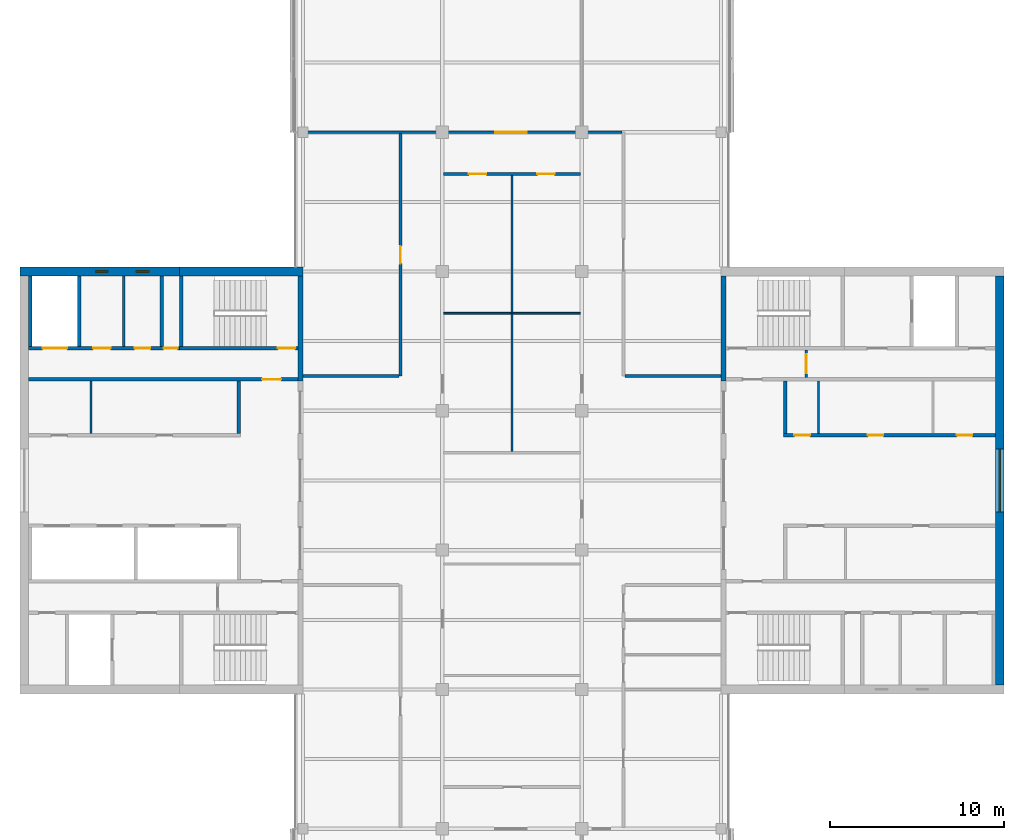
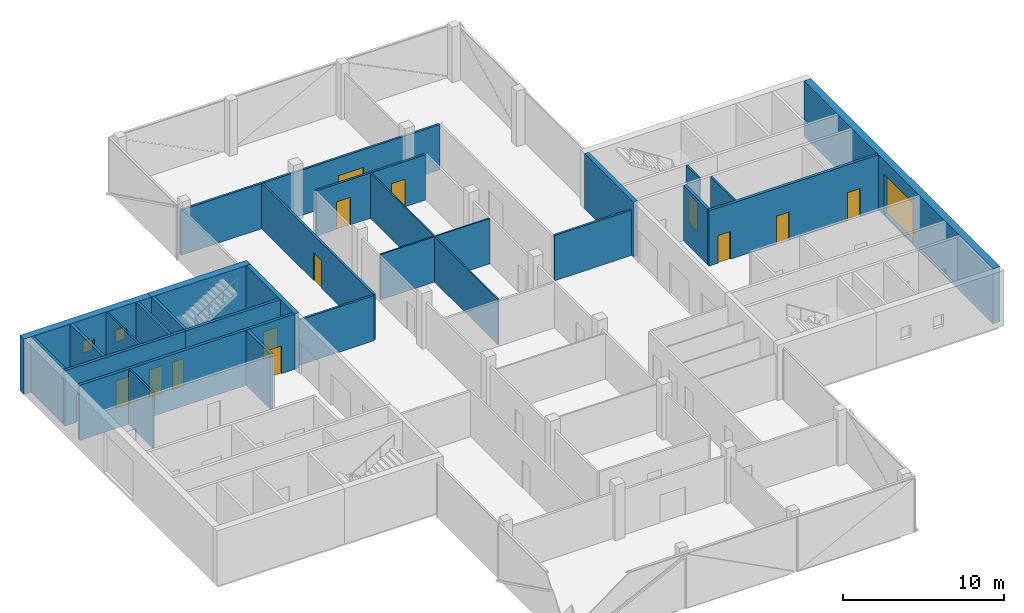
# One storey, part 11 of 15: 27 walls, 14 doors, 3 windows, 17 openings.
"""IFC4 building model written with IfcOpenShell, lengths in metres."""

from ifc_helpers import new_model, si_unit, direction, frame, frame_2d, origin, place, context, subcontext, project, spatial, rectangle, extrude, material, layer, layer_set, constituent, constituent_set, type_object, element, fill, save


model = new_model("IFC4")

# Units and contexts
model_context = context("Model", 3, precision=1e-05, world=origin(), true_north=direction((0.0, 1.0)))
body_context = subcontext(model_context, "Body", "Model", "MODEL_VIEW")
ifc_project = project(units=[si_unit("LENGTHUNIT", "METRE"), si_unit("AREAUNIT", "SQUARE_METRE"), si_unit("VOLUMEUNIT", "CUBIC_METRE"), si_unit("PLANEANGLEUNIT", "RADIAN"), si_unit("MASSUNIT", "GRAM", prefix="KILO")], contexts=[model_context])

# Site, building, storey
site_placement = place(None, origin())
site = spatial("IfcSite", under=ifc_project, at=site_placement, CompositionType="ELEMENT")
building_placement = place(site_placement, origin())
building = spatial("IfcBuilding", under=site, at=building_placement, Name="Crosswind Convention Tower", CompositionType="ELEMENT")
storey_placement = place(building_placement, frame((0.0, 0.0, 257.699951171875)))
storey = spatial("IfcBuildingStorey", under=building, at=storey_placement, Name="L55", CompositionType="ELEMENT", Elevation=257.699951171875)

# Walls
ifc_material_1 = material(Name="Concrete blockwork", Category="masonry")
ifc_layer_1 = layer(ifc_material_1, 0.199951171875)
ifc_layer_set_1 = layer_set([ifc_layer_1], Name="Blockwork partition wall 200")
wall_type_1 = type_object("IfcWallType", Name="Blockwork partition wall 200", PredefinedType="PARTITIONING", material=ifc_layer_set_1)
wall_1_placement = place(storey_placement, frame((104.89990234375, 111.75, 0.0), z_axis=(0.0, 0.0, 1.0), x_axis=(0.0, -1.0, 0.0)))
element("IfcWall", 1, at=wall_1_placement, inside=storey, type_object=wall_type_1, Name="Wall MRSE W L55", PredefinedType="PARTITIONING", context=body_context, shape_type="SweptSolid", body=[
    extrude(rectangle(XDim=4.050048828125, YDim=0.199951171875, at=frame_2d((2.02490234375, 0.0))), origin(), (0.0, 0.0, 1.0), 4.199951171875),
])
ifc_material_2 = material(Name="Concrete C50/60", Category="concrete")
ifc_layer_2 = layer(ifc_material_2, 0.300048828125)
ifc_layer_set_2 = layer_set([ifc_layer_2], Name="Concrete C50/60")
wall_type_2 = type_object("IfcWallType", Name="Concrete inner core wall 300", PredefinedType="SHEAR", material=ifc_layer_set_2)
for number, where, z_axis, x_axis, name in (
    (2, (137.14990234375, 105.699951171875, 0.0), (0.0, 0.0, 1.0), (0.0, 1.0, 0.0), "Wall EP E L55"),
    (3, (112.85009765625, 111.75, 0.0), (0.0, 0.0, 1.0), (0.0, -1.0, 0.0), "Wall EM W L55"),
):
    element("IfcWall", number, at=place(storey_placement, frame(where, z_axis=z_axis, x_axis=x_axis)), inside=storey, type_object=wall_type_2, Name=name, PredefinedType="SHEAR", context=body_context, shape_type="SweptSolid", body=[
        extrude(rectangle(XDim=6.050048828125, YDim=0.300048828125, at=frame_2d((3.02490234375, 0.0))), origin(), (0.0, 0.0, 1.0), 4.199951171875),
    ])
ifc_layer_3 = layer(ifc_material_2, 0.199951171875)
ifc_layer_set_3 = layer_set([ifc_layer_3], Name="Concrete C50/60")
wall_type_3 = type_object("IfcWallType", Name="Concrete shaft and stair wall 200", PredefinedType="SHEAR", material=ifc_layer_set_3)
wall_2_placement = place(storey_placement, frame((140.699951171875, 102.699951171875, 0.0), z_axis=(0.0, 0.0, 1.0), x_axis=(0.0, 1.0, 0.0)))
element("IfcWall", 4, at=wall_2_placement, inside=storey, type_object=wall_type_3, Name="Wall RPEND E L55", PredefinedType="SHEAR", context=body_context, shape_type="SweptSolid", body=[
    extrude(rectangle(XDim=3.0, YDim=0.199951171875, at=frame_2d((1.5, 0.0))), origin(), (0.0, 0.0, 1.0), 4.199951171875),
])

# Wall, openings, doors
wall_3_placement = place(storey_placement, frame((140.60009765625, 102.60009765625, 0.0), z_axis=(0.0, 0.0, 1.0), x_axis=(1.0, 0.0, 0.0)))
wall_3 = element("IfcWall", 5, at=wall_3_placement, inside=storey, type_object=wall_type_3, Name="Wall RPFRONT E L55", PredefinedType="SHEAR", context=body_context, shape_type="SweptSolid", body=[
    extrude(rectangle(XDim=12.14990234375, YDim=0.199951171875, at=frame_2d((6.074951171875, 0.0))), origin(), (0.0, 0.0, 1.0), 4.199951171875),
])
opening_1_placement = place(wall_3_placement, frame((0.614990234375, 0.0, 0.0)))
opening_1 = element("IfcOpeningElement", 6, at=opening_1_placement, cuts=wall_3, Name="Opening D106", PredefinedType="OPENING", context=body_context, shape_type="SweptSolid", body=[
    extrude(rectangle(XDim=0.89990234375, YDim=2.10009765625, at=frame_2d((0.449951171875, 1.050048828125))), frame((0.0, 0.10986328125, 0.0), z_axis=(0.0, -1.0, 0.0), x_axis=(1.0, 0.0, 0.0)), (0.0, 0.0, 1.0), 0.219970703125),
])
opening_2_placement = place(wall_3_placement, frame((4.828857421875, 0.0, 0.0)))
opening_2 = element("IfcOpeningElement", 7, at=opening_2_placement, cuts=wall_3, Name="Opening D106", PredefinedType="OPENING", context=body_context, shape_type="SweptSolid", body=[
    extrude(rectangle(XDim=0.89990234375, YDim=2.10009765625, at=frame_2d((0.449951171875, 1.050048828125))), frame((0.0, 0.10986328125, 0.0), z_axis=(0.0, -1.0, 0.0), x_axis=(1.0, 0.0, 0.0)), (0.0, 0.0, 1.0), 0.219970703125),
])
opening_3_placement = place(wall_3_placement, frame((9.938720703125, 0.0, 0.0)))
opening_3 = element("IfcOpeningElement", 8, at=opening_3_placement, cuts=wall_3, Name="Opening D106", PredefinedType="OPENING", context=body_context, shape_type="SweptSolid", body=[
    extrude(rectangle(XDim=0.89990234375, YDim=2.10009765625, at=frame_2d((0.449951171875, 1.050048828125))), frame((0.0, 0.10986328125, 0.0), z_axis=(0.0, -1.0, 0.0), x_axis=(1.0, 0.0, 0.0)), (0.0, 0.0, 1.0), 0.219970703125),
])
ifc_material_3 = material(Name="Timber door", Category="wood")
door_type_1 = type_object("IfcDoorType", Name="Single leaf door 900x2100", OperationType="NOTDEFINED", PredefinedType="DOOR", material=ifc_material_3)
door_1_placement = place(opening_1_placement, origin())
door_1 = element("IfcDoor", 9, at=door_1_placement, inside=storey, type_object=door_type_1, Name="Door to tenant services room L55", ObjectType="D106", OperationType="SINGLE_SWING_RIGHT", OverallHeight=2.10009765625, OverallWidth=0.89990234375, PredefinedType="DOOR", context=body_context, shape_type="SweptSolid", body=[
    extrude(rectangle(XDim=0.89990234375, YDim=2.10009765625, at=frame_2d((0.449951171875, 1.050048828125))), frame((0.0, 0.02490234375, 0.0), z_axis=(0.0, -1.0, 0.0), x_axis=(1.0, 0.0, 0.0)), (0.0, 0.0, 1.0), 0.050048828125),
])
fill(opening_1, door_1)
door_2_placement = place(opening_2_placement, origin())
door_2 = element("IfcDoor", 10, at=door_2_placement, inside=storey, type_object=door_type_1, Name="Door to copy and print room L55", ObjectType="D106", OperationType="SINGLE_SWING_RIGHT", OverallHeight=2.10009765625, OverallWidth=0.89990234375, PredefinedType="DOOR", context=body_context, shape_type="SweptSolid", body=[
    extrude(rectangle(XDim=0.89990234375, YDim=2.10009765625, at=frame_2d((0.449951171875, 1.050048828125))), frame((0.0, 0.02490234375, 0.0), z_axis=(0.0, -1.0, 0.0), x_axis=(1.0, 0.0, 0.0)), (0.0, 0.0, 1.0), 0.050048828125),
])
fill(opening_2, door_2)
door_3_placement = place(opening_3_placement, origin())
door_3 = element("IfcDoor", 11, at=door_3_placement, inside=storey, type_object=door_type_1, Name="Door to meeting room L55", ObjectType="D106", OperationType="SINGLE_SWING_RIGHT", OverallHeight=2.10009765625, OverallWidth=0.89990234375, PredefinedType="DOOR", context=body_context, shape_type="SweptSolid", body=[
    extrude(rectangle(XDim=0.89990234375, YDim=2.10009765625, at=frame_2d((0.449951171875, 1.050048828125))), frame((0.0, 0.02490234375, 0.0), z_axis=(0.0, -1.0, 0.0), x_axis=(1.0, 0.0, 0.0)), (0.0, 0.0, 1.0), 0.050048828125),
])
fill(opening_3, door_3)

# Wall
wall_4_placement = place(storey_placement, frame((109.300048828125, 105.699951171875, 0.0), z_axis=(0.0, 0.0, 1.0), x_axis=(0.0, -1.0, 0.0)))
element("IfcWall", 12, at=wall_4_placement, inside=storey, type_object=wall_type_3, Name="Wall RMEND W L55", PredefinedType="SHEAR", context=body_context, shape_type="SweptSolid", body=[
    extrude(rectangle(XDim=3.0, YDim=0.199951171875, at=frame_2d((1.5, 0.0))), origin(), (0.0, 0.0, 1.0), 4.199951171875),
])

# Wall, opening, door
wall_5_placement = place(storey_placement, frame((112.699951171875, 105.800048828125, 0.0), z_axis=(0.0, 0.0, 1.0), x_axis=(-1.0, 0.0, 0.0)))
wall_5 = element("IfcWall", 13, at=wall_5_placement, inside=storey, type_object=wall_type_3, Name="Wall HM W L55", PredefinedType="SHEAR", context=body_context, shape_type="SweptSolid", body=[
    extrude(rectangle(XDim=15.449951171875, YDim=0.199951171875, at=frame_2d((7.72509765625, 0.0))), origin(), (0.0, 0.0, 1.0), 4.199951171875),
])
opening_4_placement = place(wall_5_placement, frame((0.949951171875, 0.0, 0.0)))
opening_4 = element("IfcOpeningElement", 14, at=opening_4_placement, cuts=wall_5, Name="Opening D104", PredefinedType="OPENING", context=body_context, shape_type="SweptSolid", body=[
    extrude(rectangle(XDim=1.10009765625, YDim=2.10009765625, at=frame_2d((0.550048828125, 1.050048828125))), frame((0.0, 0.10986328125, 0.0), z_axis=(0.0, -1.0, 0.0), x_axis=(1.0, 0.0, 0.0)), (0.0, 0.0, 1.0), 0.219970703125),
])
ifc_material_4 = material(Name="Steel fire door", Category="steel")
door_type_2 = type_object("IfcDoorType", Name="Fire-rated single door 1100x2100", OperationType="NOTDEFINED", PredefinedType="DOOR", material=ifc_material_4)
door_4_placement = place(opening_4_placement, origin())
door_4 = element("IfcDoor", 15, at=door_4_placement, inside=storey, type_object=door_type_2, Name="Corridor door L55", ObjectType="D104", OperationType="SINGLE_SWING_LEFT", OverallHeight=2.10009765625, OverallWidth=1.10009765625, PredefinedType="DOOR", context=body_context, shape_type="SweptSolid", body=[
    extrude(rectangle(XDim=1.10009765625, YDim=2.10009765625, at=frame_2d((0.550048828125, 1.050048828125))), frame((0.0, 0.02490234375, 0.0), z_axis=(0.0, -1.0, 0.0), x_axis=(1.0, 0.0, 0.0)), (0.0, 0.0, 1.0), 0.050048828125),
])
fill(opening_4, door_4)

# Walls
for number, where, z_axis, x_axis, name in (
    (16, (106.0, 111.75, 0.0), (0.0, 0.0, 1.0), (0.0, -1.0, 0.0), "Wall MSE W L55"),
    (17, (100.14990234375, 111.75, 0.0), (0.0, 0.0, 1.0), (0.0, -1.0, 0.0), "Wall MFSW W L55"),
    (18, (97.35009765625, 111.75, 0.0), (0.0, 0.0, 1.0), (0.0, -1.0, 0.0), "Wall MFSE W L55"),
):
    element("IfcWall", number, at=place(storey_placement, frame(where, z_axis=z_axis, x_axis=x_axis)), inside=storey, type_object=wall_type_3, Name=name, PredefinedType="SHEAR", context=body_context, shape_type="SweptSolid", body=[
        extrude(rectangle(XDim=4.050048828125, YDim=0.199951171875, at=frame_2d((2.02490234375, 0.0))), origin(), (0.0, 0.0, 1.0), 4.199951171875),
    ])

# Wall, opening, door
wall_6_placement = place(storey_placement, frame((112.699951171875, 107.60009765625, 0.0), z_axis=(0.0, 0.0, 1.0), x_axis=(-1.0, 0.0, 0.0)))
wall_6 = element("IfcWall", 19, at=wall_6_placement, inside=storey, type_object=wall_type_3, Name="Wall MCW W L55", PredefinedType="SHEAR", context=body_context, shape_type="SweptSolid", body=[
    extrude(rectangle(XDim=6.800048828125, YDim=0.199951171875, at=frame_2d((3.39990234375, 0.0))), origin(), (0.0, 0.0, 1.0), 4.199951171875),
])
opening_5_placement = place(wall_6_placement, frame((0.14990234375, 0.0, 0.0)))
opening_5 = element("IfcOpeningElement", 20, at=opening_5_placement, cuts=wall_6, Name="Opening D103", PredefinedType="OPENING", context=body_context, shape_type="SweptSolid", body=[
    extrude(rectangle(XDim=1.0, YDim=2.10009765625, at=frame_2d((0.5, 1.050048828125))), frame((0.0, 0.10986328125, 0.0), z_axis=(0.0, -1.0, 0.0), x_axis=(1.0, 0.0, 0.0)), (0.0, 0.0, 1.0), 0.219970703125),
])
door_type_3 = type_object("IfcDoorType", Name="Fire-rated single door 1000x2100", OperationType="NOTDEFINED", PredefinedType="DOOR", material=ifc_material_4)
door_5_placement = place(opening_5_placement, frame((1.0, 0.0, 0.0), z_axis=(0.0, 0.0, 1.0), x_axis=(-1.0, 0.0, 0.0)))
door_5 = element("IfcDoor", 21, at=door_5_placement, inside=storey, type_object=door_type_3, Name="Stair ST4 door L55", ObjectType="D103", OperationType="SINGLE_SWING_RIGHT", OverallHeight=2.10009765625, OverallWidth=1.0, PredefinedType="DOOR", context=body_context, shape_type="SweptSolid", body=[
    extrude(rectangle(XDim=1.0, YDim=2.10009765625, at=frame_2d((0.5, 1.050048828125))), frame((0.0, 0.02490234375, 0.0), z_axis=(0.0, -1.0, 0.0), x_axis=(1.0, 0.0, 0.0)), (0.0, 0.0, 1.0), 0.050048828125),
])
fill(opening_5, door_5)

# Wall, openings, doors
wall_7_placement = place(storey_placement, frame((105.89990234375, 107.60009765625, 0.0), z_axis=(0.0, 0.0, 1.0), x_axis=(-1.0, 0.0, 0.0)))
wall_7 = element("IfcWall", 22, at=wall_7_placement, inside=storey, type_object=wall_type_3, Name="Wall MCX W L55", PredefinedType="SHEAR", context=body_context, shape_type="SweptSolid", body=[
    extrude(rectangle(XDim=8.64990234375, YDim=0.199951171875, at=frame_2d((4.324951171875, 0.0))), origin(), (0.0, 0.0, 1.0), 4.199951171875),
])
opening_6_placement = place(wall_7_placement, frame((0.10009765625, 0.0, 0.0)))
opening_6 = element("IfcOpeningElement", 23, at=opening_6_placement, cuts=wall_7, Name="Opening D105", PredefinedType="OPENING", context=body_context, shape_type="SweptSolid", body=[
    extrude(rectangle(XDim=0.800048828125, YDim=2.10009765625, at=frame_2d((0.39990234375, 1.050048828125))), frame((0.0, 0.10986328125, 0.0), z_axis=(0.0, -1.0, 0.0), x_axis=(1.0, 0.0, 0.0)), (0.0, 0.0, 1.0), 0.219970703125),
])
opening_7_placement = place(wall_7_placement, frame((1.665283203125, 0.0, 0.0)))
opening_7 = element("IfcOpeningElement", 24, at=opening_7_placement, cuts=wall_7, Name="Opening D106", PredefinedType="OPENING", context=body_context, shape_type="SweptSolid", body=[
    extrude(rectangle(XDim=0.89990234375, YDim=2.10009765625, at=frame_2d((0.449951171875, 1.050048828125))), frame((0.0, 0.10986328125, 0.0), z_axis=(0.0, -1.0, 0.0), x_axis=(1.0, 0.0, 0.0)), (0.0, 0.0, 1.0), 0.219970703125),
])
opening_8_placement = place(wall_7_placement, frame((3.95263671875, 0.0, 0.0)))
opening_8 = element("IfcOpeningElement", 25, at=opening_8_placement, cuts=wall_7, Name="Opening D103", PredefinedType="OPENING", context=body_context, shape_type="SweptSolid", body=[
    extrude(rectangle(XDim=1.0, YDim=2.10009765625, at=frame_2d((0.5, 1.050048828125))), frame((0.0, 0.10986328125, 0.0), z_axis=(0.0, -1.0, 0.0), x_axis=(1.0, 0.0, 0.0)), (0.0, 0.0, 1.0), 0.219970703125),
])
opening_9_placement = place(wall_7_placement, frame((6.449951171875, 0.0, 0.0)))
opening_9 = element("IfcOpeningElement", 26, at=opening_9_placement, cuts=wall_7, Name="Opening LD2", PredefinedType="OPENING", context=body_context, shape_type="SweptSolid", body=[
    extrude(rectangle(XDim=1.39990234375, YDim=2.10009765625, at=frame_2d((0.699951171875, 1.050048828125))), frame((0.0, 0.10986328125, 0.0), z_axis=(0.0, -1.0, 0.0), x_axis=(1.0, 0.0, 0.0)), (0.0, 0.0, 1.0), 0.219970703125),
])
door_6_placement = place(opening_8_placement, frame((1.0, 0.0, 0.0), z_axis=(0.0, 0.0, 1.0), x_axis=(-1.0, 0.0, 0.0)))
door_6 = element("IfcDoor", 27, at=door_6_placement, inside=storey, type_object=door_type_3, Name="Door to accessible wc L55", ObjectType="D103", OperationType="SINGLE_SWING_LEFT", OverallHeight=2.10009765625, OverallWidth=1.0, PredefinedType="DOOR", context=body_context, shape_type="SweptSolid", body=[
    extrude(rectangle(XDim=1.0, YDim=2.10009765625, at=frame_2d((0.5, 1.050048828125))), frame((0.0, 0.02490234375, 0.0), z_axis=(0.0, -1.0, 0.0), x_axis=(1.0, 0.0, 0.0)), (0.0, 0.0, 1.0), 0.050048828125),
])
fill(opening_8, door_6)
ifc_material_5 = material(Name="Stainless steel", Category="steel")
door_type_4 = type_object("IfcDoorType", Name="Lift landing door 1400x2100", OperationType="DOUBLE_DOOR_SLIDING", PredefinedType="DOOR", material=ifc_material_5)
door_7_placement = place(opening_9_placement, origin())
door_7 = element("IfcDoor", 28, at=door_7_placement, inside=storey, type_object=door_type_4, Name="Landing door SV2 L55", ObjectType="LD2", OperationType="DOUBLE_DOOR_SLIDING", OverallHeight=2.10009765625, OverallWidth=1.39990234375, PredefinedType="DOOR", context=body_context, shape_type="SweptSolid", body=[
    extrude(rectangle(XDim=1.39990234375, YDim=2.10009765625, at=frame_2d((0.699951171875, 1.050048828125))), frame((0.0, 0.02490234375, 0.0), z_axis=(0.0, -1.0, 0.0), x_axis=(1.0, 0.0, 0.0)), (0.0, 0.0, 1.0), 0.050048828125),
])
fill(opening_9, door_7)
door_type_5 = type_object("IfcDoorType", Name="Riser access door 800x2100", OperationType="NOTDEFINED", PredefinedType="DOOR", material=ifc_material_4)
door_8_placement = place(opening_6_placement, frame((0.800048828125, 0.0, 0.0), z_axis=(0.0, 0.0, 1.0), x_axis=(-1.0, 0.0, 0.0)))
door_8 = element("IfcDoor", 29, at=door_8_placement, inside=storey, type_object=door_type_5, Name="Riser door L55", ObjectType="D105", OperationType="SINGLE_SWING_LEFT", OverallHeight=2.10009765625, OverallWidth=0.800048828125, PredefinedType="DOOR", context=body_context, shape_type="SweptSolid", body=[
    extrude(rectangle(XDim=0.800048828125, YDim=2.10009765625, at=frame_2d((0.39990234375, 1.050048828125))), frame((0.0, 0.02490234375, 0.0), z_axis=(0.0, -1.0, 0.0), x_axis=(1.0, 0.0, 0.0)), (0.0, 0.0, 1.0), 0.050048828125),
])
fill(opening_6, door_8)
door_9_placement = place(opening_7_placement, frame((0.89990234375, 0.0, 0.0), z_axis=(0.0, 0.0, 1.0), x_axis=(-1.0, 0.0, 0.0)))
door_9 = element("IfcDoor", 30, at=door_9_placement, inside=storey, type_object=door_type_1, Name="Door to wc L55", ObjectType="D106", OperationType="SINGLE_SWING_LEFT", OverallHeight=2.10009765625, OverallWidth=0.89990234375, PredefinedType="DOOR", context=body_context, shape_type="SweptSolid", body=[
    extrude(rectangle(XDim=0.89990234375, YDim=2.10009765625, at=frame_2d((0.449951171875, 1.050048828125))), frame((0.0, 0.02490234375, 0.0), z_axis=(0.0, -1.0, 0.0), x_axis=(1.0, 0.0, 0.0)), (0.0, 0.0, 1.0), 0.050048828125),
])
fill(opening_7, door_9)

# Wall
ifc_material_6 = material(Name="Gypsum plasterboard partition", Category="gypsum")
ifc_layer_4 = layer(ifc_material_6, 0.125)
ifc_layer_set_4 = layer_set([ifc_layer_4], Name="Drywall partition wall 125")
wall_type_4 = type_object("IfcWallType", Name="Drywall partition wall 125", PredefinedType="PARTITIONING", material=ifc_layer_set_4)
wall_8_placement = place(storey_placement, frame((142.592529296875, 102.699951171875, 0.0), z_axis=(0.0, 0.0, 1.0), x_axis=(0.0, 1.0, 0.0)))
element("IfcWall", 31, at=wall_8_placement, inside=storey, type_object=wall_type_4, Name="Wall RPP1 E L55", PredefinedType="PARTITIONING", context=body_context, shape_type="SweptSolid", body=[
    extrude(rectangle(XDim=3.0, YDim=0.125, at=frame_2d((1.5, 0.0))), origin(), (0.0, 0.0, 1.0), 4.199951171875),
])

# Wall, opening, door
wall_9_placement = place(storey_placement, frame((141.89990234375, 105.89990234375, 0.0), z_axis=(0.0, 0.0, 1.0), x_axis=(0.0, 1.0, 0.0)))
wall_9 = element("IfcWall", 32, at=wall_9_placement, inside=storey, type_object=wall_type_4, Name="Wall PXC1 E L55", PredefinedType="PARTITIONING", context=body_context, shape_type="SweptSolid", body=[
    extrude(rectangle(XDim=1.60009765625, YDim=0.125, at=frame_2d((0.800048828125, 0.0))), origin(), (0.0, 0.0, 1.0), 4.199951171875),
])
opening_10_placement = place(wall_9_placement, frame((0.25, 0.0, 0.0)))
opening_10 = element("IfcOpeningElement", 33, at=opening_10_placement, cuts=wall_9, Name="Opening D104", PredefinedType="OPENING", context=body_context, shape_type="SweptSolid", body=[
    extrude(rectangle(XDim=1.10009765625, YDim=2.10009765625, at=frame_2d((0.550048828125, 1.050048828125))), frame((0.0, 0.072509765625, 0.0), z_axis=(0.0, -1.0, 0.0), x_axis=(1.0, 0.0, 0.0)), (0.0, 0.0, 1.0), 0.14501953125),
])
door_10_placement = place(opening_10_placement, origin())
door_10 = element("IfcDoor", 34, at=door_10_placement, inside=storey, type_object=door_type_2, Name="Corridor smoke door L55", ObjectType="D104", OperationType="SINGLE_SWING_RIGHT", OverallHeight=2.10009765625, OverallWidth=1.10009765625, PredefinedType="DOOR", context=body_context, shape_type="SweptSolid", body=[
    extrude(rectangle(XDim=1.10009765625, YDim=2.10009765625, at=frame_2d((0.550048828125, 1.050048828125))), frame((0.0, 0.02490234375, 0.0), z_axis=(0.0, -1.0, 0.0), x_axis=(1.0, 0.0, 0.0)), (0.0, 0.0, 1.0), 0.050048828125),
])
fill(opening_10, door_10)

# Walls
wall_10_placement = place(storey_placement, frame((100.8349609375, 105.699951171875, 0.0), z_axis=(0.0, 0.0, 1.0), x_axis=(0.0, -1.0, 0.0)))
element("IfcWall", 35, at=wall_10_placement, inside=storey, type_object=wall_type_4, Name="Wall RMP1 W L55", PredefinedType="PARTITIONING", context=body_context, shape_type="SweptSolid", body=[
    extrude(rectangle(XDim=3.0, YDim=0.125, at=frame_2d((1.5, 0.0))), origin(), (0.0, 0.0, 1.0), 4.199951171875),
])
wall_11_placement = place(storey_placement, frame((102.70703125, 111.75, 0.0), z_axis=(0.0, 0.0, 1.0), x_axis=(0.0, -1.0, 0.0)))
element("IfcWall", 36, at=wall_11_placement, inside=storey, type_object=wall_type_4, Name="Wall MWP1 W L55", PredefinedType="PARTITIONING", context=body_context, shape_type="SweptSolid", body=[
    extrude(rectangle(XDim=4.050048828125, YDim=0.125, at=frame_2d((2.02490234375, 0.0))), origin(), (0.0, 0.0, 1.0), 4.199951171875),
])
ifc_material_7 = material(Name="Plasterboard partition", Category="gypsum")
ifc_layer_5 = layer(ifc_material_7, 0.10009765625)
ifc_layer_set_5 = layer_set([ifc_layer_5], Name="PARTITION 100 METAL STUD")
wall_type_5 = type_object("IfcWallType", Name="PARTITION 100 METAL STUD", PredefinedType="PARTITIONING", material=ifc_layer_set_5)
wall_12_placement = place(storey_placement, frame((125.0, 101.675048828125, 0.0), z_axis=(0.0, 0.0, 1.0), x_axis=(0.0, 1.0, 0.0)))
element("IfcWall", 37, at=wall_12_placement, inside=storey, type_object=wall_type_5, Name="Partition wall WT40", PredefinedType="PARTITIONING", context=body_context, shape_type="SweptSolid", body=[
    extrude(rectangle(XDim=15.849853515625, YDim=0.10009765625, at=frame_2d((7.9248046875, 0.0))), origin(), (0.0, 0.0, 1.0), 3.44287109375),
])
for number, where, z_axis, x_axis, name in (
    (38, (121.074951171875, 109.60009765625, 0.0), (0.0, 0.0, 1.0), (1.0, 0.0, 0.0), "Partition wall WT40"),
    (39, (125.050048828125, 109.60009765625, 0.0), (0.0, 0.0, 1.0), (1.0, 0.0, 0.0), "Partition wall WT40"),
):
    element("IfcWall", number, at=place(storey_placement, frame(where, z_axis=z_axis, x_axis=x_axis)), inside=storey, type_object=wall_type_5, Name=name, PredefinedType="PARTITIONING", context=body_context, shape_type="SweptSolid", body=[
        extrude(rectangle(XDim=3.875, YDim=0.10009765625, at=frame_2d((1.9375, 0.0))), origin(), (0.0, 0.0, 1.0), 3.44287109375),
    ])

# Wall, opening, door
ifc_material_8 = material(Name="Fire-board partition with mineral wool", Category="gypsum")
ifc_layer_6 = layer(ifc_material_8, 0.14990234375)
ifc_layer_set_6 = layer_set([ifc_layer_6], Name="TENANCY WALL 150 TWO-HOUR BOARD")
wall_type_6 = type_object("IfcWallType", Name="TENANCY WALL 150 TWO-HOUR BOARD", PredefinedType="PARTITIONING", material=ifc_layer_set_6)
wall_13_placement = place(storey_placement, frame((118.60009765625, 106.0, 0.0), z_axis=(0.0, 0.0, 1.0), x_axis=(0.0, 1.0, 0.0)))
wall_13 = element("IfcWall", 40, at=wall_13_placement, inside=storey, type_object=wall_type_6, Name="Tenancy wall WT41", PredefinedType="PARTITIONING", context=body_context, shape_type="SweptSolid", body=[
    extrude(rectangle(XDim=13.925048828125, YDim=0.14990234375, at=frame_2d((6.96240234375, 0.0))), origin(), (0.0, 0.0, 1.0), 3.44287109375),
])
opening_11_placement = place(wall_13_placement, frame((6.449951171875, 0.0, 0.0)))
opening_11 = element("IfcOpeningElement", 41, at=opening_11_placement, cuts=wall_13, Name="Opening L55-55", PredefinedType="OPENING", context=body_context, shape_type="SweptSolid", body=[
    extrude(rectangle(XDim=1.0, YDim=2.10009765625, at=frame_2d((0.5, 1.050048828125))), frame((0.0, 0.0849609375, 0.0), z_axis=(0.0, -1.0, 0.0), x_axis=(1.0, 0.0, 0.0)), (0.0, 0.0, 1.0), 0.169921875),
])
ifc_material_9 = material(Name="Timber fire door", Category="wood")
door_type_6 = type_object("IfcDoorType", Name="TENANCY ENTRANCE DOOR 1000X2100 FD30S", OperationType="NOTDEFINED", PredefinedType="DOOR", material=ifc_material_9)
door_11_placement = place(opening_11_placement, origin())
door_11 = element("IfcDoor", 42, at=door_11_placement, inside=storey, type_object=door_type_6, Name="Door L55-55", ObjectType="D41", OperationType="SINGLE_SWING_RIGHT", OverallHeight=2.10009765625, OverallWidth=1.0, PredefinedType="DOOR", context=body_context, shape_type="SweptSolid", body=[
    extrude(rectangle(XDim=1.0, YDim=2.10009765625, at=frame_2d((0.5, 1.050048828125))), frame((0.0, 0.02490234375, 0.0), z_axis=(0.0, -1.0, 0.0), x_axis=(1.0, 0.0, 0.0)), (0.0, 0.0, 1.0), 0.050048828125),
])
fill(opening_11, door_11)

# Walls
for number, where, z_axis, x_axis, name in (
    (43, (113.0, 106.0, 0.0), (0.0, 0.0, 1.0), (1.0, 0.0, 0.0), "Tenancy wall WT41"),
    (44, (131.47509765625, 106.0, 0.0), (0.0, 0.0, 1.0), (1.0, 0.0, 0.0), "Tenancy wall WT41"),
):
    element("IfcWall", number, at=place(storey_placement, frame(where, z_axis=z_axis, x_axis=x_axis)), inside=storey, type_object=wall_type_6, Name=name, PredefinedType="PARTITIONING", context=body_context, shape_type="SweptSolid", body=[
        extrude(rectangle(XDim=5.52490234375, YDim=0.14990234375, at=frame_2d((2.762451171875, 0.0))), origin(), (0.0, 0.0, 1.0), 3.44287109375),
    ])

# Wall, openings, doors
wall_14_placement = place(storey_placement, frame((121.074951171875, 117.60009765625, 0.0), z_axis=(0.0, 0.0, 1.0), x_axis=(1.0, 0.0, 0.0)))
wall_14 = element("IfcWall", 45, at=wall_14_placement, inside=storey, type_object=wall_type_6, Name="Tenancy wall WT41", PredefinedType="PARTITIONING", context=body_context, shape_type="SweptSolid", body=[
    extrude(rectangle(XDim=7.85009765625, YDim=0.14990234375, at=frame_2d((3.925048828125, 0.0))), origin(), (0.0, 0.0, 1.0), 3.44287109375),
])
opening_12_placement = place(wall_14_placement, frame((1.449951171875, 0.0, 0.0)))
opening_12 = element("IfcOpeningElement", 46, at=opening_12_placement, cuts=wall_14, Name="Opening L55-65", PredefinedType="OPENING", context=body_context, shape_type="SweptSolid", body=[
    extrude(rectangle(XDim=1.0, YDim=2.10009765625, at=frame_2d((0.5, 1.050048828125))), frame((0.0, 0.0849609375, 0.0), z_axis=(0.0, -1.0, 0.0), x_axis=(1.0, 0.0, 0.0)), (0.0, 0.0, 1.0), 0.169921875),
])
opening_13_placement = place(wall_14_placement, frame((5.375, 0.0, 0.0)))
opening_13 = element("IfcOpeningElement", 47, at=opening_13_placement, cuts=wall_14, Name="Opening L55-66", PredefinedType="OPENING", context=body_context, shape_type="SweptSolid", body=[
    extrude(rectangle(XDim=1.0, YDim=2.10009765625, at=frame_2d((0.5, 1.050048828125))), frame((0.0, 0.0849609375, 0.0), z_axis=(0.0, -1.0, 0.0), x_axis=(1.0, 0.0, 0.0)), (0.0, 0.0, 1.0), 0.169921875),
])
door_12_placement = place(opening_12_placement, frame((1.0, 0.0, 0.0), z_axis=(0.0, 0.0, 1.0), x_axis=(-1.0, 0.0, 0.0)))
door_12 = element("IfcDoor", 48, at=door_12_placement, inside=storey, type_object=door_type_6, Name="Door L55-65", ObjectType="D41", OperationType="SINGLE_SWING_LEFT", OverallHeight=2.10009765625, OverallWidth=1.0, PredefinedType="DOOR", context=body_context, shape_type="SweptSolid", body=[
    extrude(rectangle(XDim=1.0, YDim=2.10009765625, at=frame_2d((0.5, 1.050048828125))), frame((0.0, 0.02490234375, 0.0), z_axis=(0.0, -1.0, 0.0), x_axis=(1.0, 0.0, 0.0)), (0.0, 0.0, 1.0), 0.050048828125),
])
fill(opening_12, door_12)
door_13_placement = place(opening_13_placement, frame((1.0, 0.0, 0.0), z_axis=(0.0, 0.0, 1.0), x_axis=(-1.0, 0.0, 0.0)))
door_13 = element("IfcDoor", 49, at=door_13_placement, inside=storey, type_object=door_type_6, Name="Door L55-66", ObjectType="D41", OperationType="SINGLE_SWING_RIGHT", OverallHeight=2.10009765625, OverallWidth=1.0, PredefinedType="DOOR", context=body_context, shape_type="SweptSolid", body=[
    extrude(rectangle(XDim=1.0, YDim=2.10009765625, at=frame_2d((0.5, 1.050048828125))), frame((0.0, 0.02490234375, 0.0), z_axis=(0.0, -1.0, 0.0), x_axis=(1.0, 0.0, 0.0)), (0.0, 0.0, 1.0), 0.050048828125),
])
fill(opening_13, door_13)

# Wall, opening, door
wall_15_placement = place(storey_placement, frame((112.72998046875, 120.0, 0.0), z_axis=(0.0, 0.0, 1.0), x_axis=(1.0, 0.0, 0.0)))
wall_15 = element("IfcWall", 50, at=wall_15_placement, inside=storey, type_object=wall_type_6, Name="Tenancy wall WT41", PredefinedType="PARTITIONING", context=body_context, shape_type="SweptSolid", body=[
    extrude(rectangle(XDim=18.594970703125, YDim=0.14990234375, at=frame_2d((9.29736328125, 0.0))), origin(), (0.0, 0.0, 1.0), 3.44287109375),
])
opening_14_placement = place(wall_15_placement, frame((11.320068359375, 0.0, 0.0)))
opening_14 = element("IfcOpeningElement", 51, at=opening_14_placement, cuts=wall_15, Name="Opening L55-57", PredefinedType="OPENING", context=body_context, shape_type="SweptSolid", body=[
    extrude(rectangle(XDim=1.800048828125, YDim=2.10009765625, at=frame_2d((0.89990234375, 1.050048828125))), frame((0.0, 0.0849609375, 0.0), z_axis=(0.0, -1.0, 0.0), x_axis=(1.0, 0.0, 0.0)), (0.0, 0.0, 1.0), 0.169921875),
])
door_type_7 = type_object("IfcDoorType", Name="TENANCY ENTRANCE DOUBLE DOOR 1800X2100 FD30S", OperationType="DOUBLE_DOOR_SINGLE_SWING", PredefinedType="DOOR", material=ifc_material_9)
door_14_placement = place(opening_14_placement, origin())
door_14 = element("IfcDoor", 52, at=door_14_placement, inside=storey, type_object=door_type_7, Name="Door L55-57", ObjectType="D42", OperationType="DOUBLE_DOOR_SINGLE_SWING", OverallHeight=2.10009765625, OverallWidth=1.800048828125, PredefinedType="DOOR", context=body_context, shape_type="SweptSolid", body=[
    extrude(rectangle(XDim=1.800048828125, YDim=2.10009765625, at=frame_2d((0.89990234375, 1.050048828125))), frame((0.0, 0.02490234375, 0.0), z_axis=(0.0, -1.0, 0.0), x_axis=(1.0, 0.0, 0.0)), (0.0, 0.0, 1.0), 0.050048828125),
])
fill(opening_14, door_14)

# Wall, opening, window
ifc_material_10 = material(Name="Concrete C60/75", Category="concrete")
ifc_constituent_1 = constituent(ifc_material_10, Name="Structure")
ifc_material_11 = material(Name="Terracotta rainscreen", Category="ceramic")
ifc_constituent_2 = constituent(ifc_material_11, Name="Facing")
ifc_constituent_set = constituent_set(constituents=[ifc_constituent_1, ifc_constituent_2], Name="Concrete C60/75, Terracotta rainscreen")
wall_type_7 = type_object("IfcWallType", Name="Terracotta rainscreen on concrete core wall 500", PredefinedType="SHEAR", material=ifc_constituent_set)
wall_16_placement = place(storey_placement, frame((153.0, 88.25, 0.0), z_axis=(0.0, 0.0, 1.0), x_axis=(0.0, 1.0, 0.0)))
wall_16 = element("IfcWall", 53, at=wall_16_placement, inside=storey, type_object=wall_type_7, Name="Wall O E L55", PredefinedType="SHEAR", context=body_context, shape_type="SweptSolid", body=[
    extrude(rectangle(XDim=23.5, YDim=0.5, at=frame_2d((11.75, 0.0))), origin(), (0.0, 0.0, 1.0), 4.199951171875),
])
opening_15_placement = place(wall_16_placement, frame((9.949951171875, 0.0, 0.14990234375)))
opening_15 = element("IfcOpeningElement", 54, at=opening_15_placement, cuts=wall_16, Name="Opening W1", PredefinedType="OPENING", context=body_context, shape_type="SweptSolid", body=[
    extrude(rectangle(XDim=3.60009765625, YDim=3.0, at=frame_2d((1.800048828125, 1.5))), frame((0.0, 0.260009765625, 0.0), z_axis=(0.0, -1.0, 0.0), x_axis=(1.0, 0.0, 0.0)), (0.0, 0.0, 1.0), 0.52001953125),
])
ifc_material_12 = material(Name="Clear laminated glass in aluminium frame", Category="aluminium")
window_type_1 = type_object("IfcWindowType", Name="Lobby end window 3600x3000", PartitioningType="SINGLE_PANEL", PredefinedType="WINDOW", material=ifc_material_12)
window_1_placement = place(opening_15_placement, origin())
window_1 = element("IfcWindow", 55, at=window_1_placement, inside=storey, type_object=window_type_1, Name="Lobby end window L55", ObjectType="W1", OverallHeight=3.0, OverallWidth=3.60009765625, PartitioningType="SINGLE_PANEL", PredefinedType="WINDOW", context=body_context, shape_type="SweptSolid", body=[
    extrude(rectangle(XDim=3.60009765625, YDim=3.0, at=frame_2d((1.800048828125, 1.5))), frame((0.0, 0.030029296875, 0.0), z_axis=(0.0, -1.0, 0.0), x_axis=(1.0, 0.0, 0.0)), (0.0, 0.0, 1.0), 0.06005859375),
])
fill(opening_15, window_1)

# Wall
wall_17_placement = place(storey_placement, frame((113.0, 112.0, 0.0), z_axis=(0.0, 0.0, 1.0), x_axis=(-1.0, 0.0, 0.0)))
element("IfcWall", 56, at=wall_17_placement, inside=storey, type_object=wall_type_7, Name="Wall S1 W L55", PredefinedType="SHEAR", context=body_context, shape_type="SweptSolid", body=[
    extrude(rectangle(XDim=7.10009765625, YDim=0.5, at=frame_2d((3.550048828125, 0.0))), origin(), (0.0, 0.0, 1.0), 4.199951171875),
])

# Wall, openings, windows
wall_18_placement = place(storey_placement, frame((105.89990234375, 112.0, 0.0), z_axis=(0.0, 0.0, 1.0), x_axis=(-1.0, 0.0, 0.0)))
wall_18 = element("IfcWall", 57, at=wall_18_placement, inside=storey, type_object=wall_type_7, Name="Wall S2 W L55", PredefinedType="SHEAR", context=body_context, shape_type="SweptSolid", body=[
    extrude(rectangle(XDim=9.14990234375, YDim=0.5, at=frame_2d((4.574951171875, 0.0))), origin(), (0.0, 0.0, 1.0), 4.199951171875),
])
opening_16_placement = place(wall_18_placement, frame((1.76513671875, 0.0, 1.5)))
opening_16 = element("IfcOpeningElement", 58, at=opening_16_placement, cuts=wall_18, Name="Opening W2", PredefinedType="OPENING", context=body_context, shape_type="SweptSolid", body=[
    extrude(rectangle(XDim=0.699951171875, YDim=0.89990234375, at=frame_2d((0.35009765625, 0.449951171875))), frame((0.0, 0.260009765625, 0.0), z_axis=(0.0, -1.0, 0.0), x_axis=(1.0, 0.0, 0.0)), (0.0, 0.0, 1.0), 0.52001953125),
])
opening_17_placement = place(wall_18_placement, frame((4.102783203125, 0.0, 1.5)))
opening_17 = element("IfcOpeningElement", 59, at=opening_17_placement, cuts=wall_18, Name="Opening W2", PredefinedType="OPENING", context=body_context, shape_type="SweptSolid", body=[
    extrude(rectangle(XDim=0.699951171875, YDim=0.89990234375, at=frame_2d((0.35009765625, 0.449951171875))), frame((0.0, 0.260009765625, 0.0), z_axis=(0.0, -1.0, 0.0), x_axis=(1.0, 0.0, 0.0)), (0.0, 0.0, 1.0), 0.52001953125),
])
ifc_material_13 = material(Name="Obscure glass in aluminium frame", Category="aluminium")
window_type_2 = type_object("IfcWindowType", Name="WC window 700x900", PartitioningType="SINGLE_PANEL", PredefinedType="WINDOW", material=ifc_material_13)
window_2_placement = place(opening_16_placement, origin())
window_2 = element("IfcWindow", 60, at=window_2_placement, inside=storey, type_object=window_type_2, Name="WC window L55", ObjectType="W2", OverallHeight=0.89990234375, OverallWidth=0.699951171875, PartitioningType="SINGLE_PANEL", PredefinedType="WINDOW", context=body_context, shape_type="SweptSolid", body=[
    extrude(rectangle(XDim=0.699951171875, YDim=0.89990234375, at=frame_2d((0.35009765625, 0.449951171875))), frame((0.0, 0.030029296875, 0.0), z_axis=(0.0, -1.0, 0.0), x_axis=(1.0, 0.0, 0.0)), (0.0, 0.0, 1.0), 0.06005859375),
])
fill(opening_16, window_2)
window_3_placement = place(opening_17_placement, origin())
window_3 = element("IfcWindow", 61, at=window_3_placement, inside=storey, type_object=window_type_2, Name="WC window L55", ObjectType="W2", OverallHeight=0.89990234375, OverallWidth=0.699951171875, PartitioningType="SINGLE_PANEL", PredefinedType="WINDOW", context=body_context, shape_type="SweptSolid", body=[
    extrude(rectangle(XDim=0.699951171875, YDim=0.89990234375, at=frame_2d((0.35009765625, 0.449951171875))), frame((0.0, 0.030029296875, 0.0), z_axis=(0.0, -1.0, 0.0), x_axis=(1.0, 0.0, 0.0)), (0.0, 0.0, 1.0), 0.06005859375),
])
fill(opening_17, window_3)

save(model, "model.ifc")
